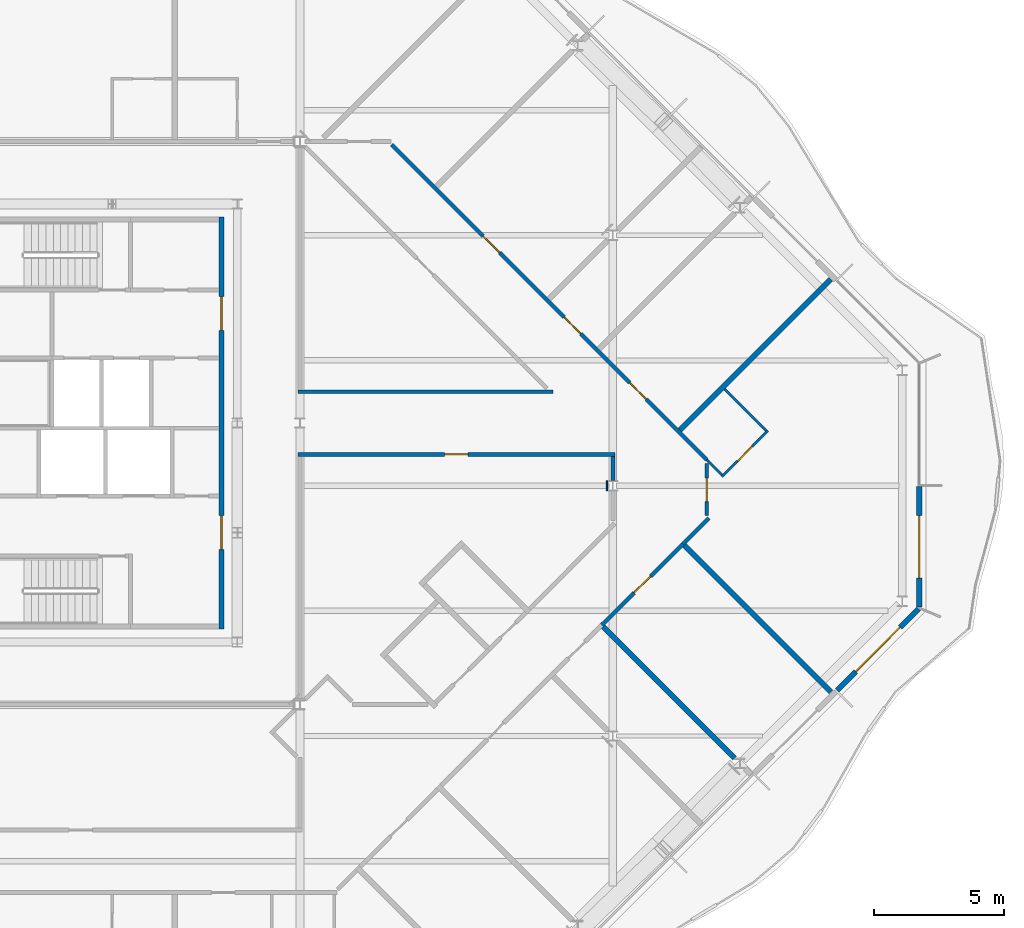
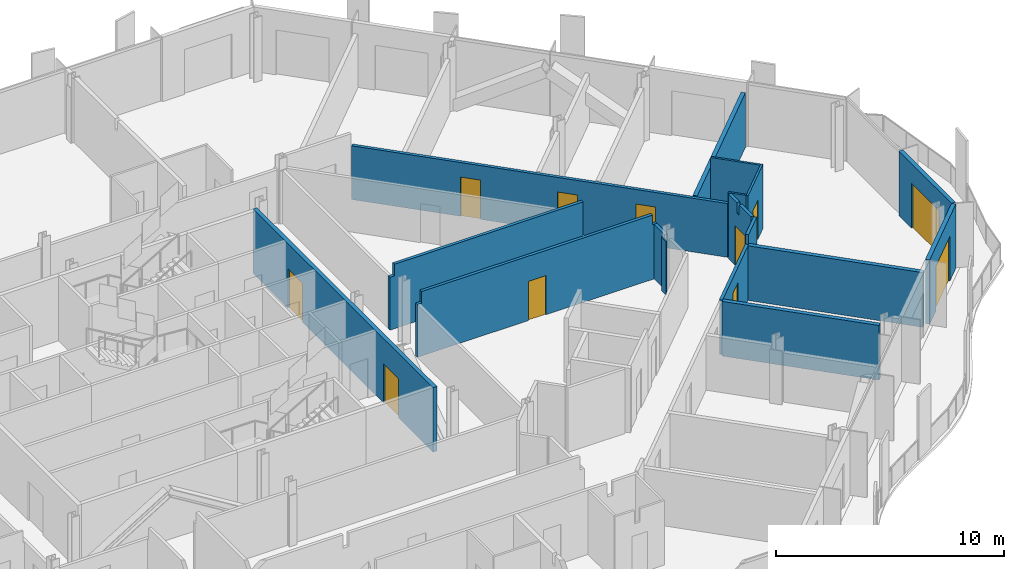
# One storey, part 10 of 17: 17 walls, 11 doors, 11 openings.
"""IFC4 building model written with IfcOpenShell, lengths in metres."""

from ifc_helpers import new_model, si_unit, direction, frame, frame_2d, origin, place, context, subcontext, project, spatial, polyline, rectangle, outline, extrude, material, layer, layer_set, type_object, element, fill, save


model = new_model("IFC4")

# Units and contexts
model_context = context("Model", 3, precision=1e-05, world=origin(), true_north=direction((0.0, 1.0)))
body_context = subcontext(model_context, "Body", "Model", "MODEL_VIEW")
ifc_project = project(units=[si_unit("LENGTHUNIT", "METRE"), si_unit("AREAUNIT", "SQUARE_METRE"), si_unit("VOLUMEUNIT", "CUBIC_METRE"), si_unit("PLANEANGLEUNIT", "RADIAN"), si_unit("MASSUNIT", "GRAM", prefix="KILO")], contexts=[model_context])

# Site, building, storey
site_placement = place(None, origin())
site = spatial("IfcSite", under=ifc_project, at=site_placement, CompositionType="ELEMENT")
building_placement = place(site_placement, origin())
building = spatial("IfcBuilding", under=site, at=building_placement, Name="Cairn Pilgrim Tower", CompositionType="ELEMENT")
storey_placement = place(building_placement, frame((0.0, 0.0, 250.199951171875)))
storey = spatial("IfcBuildingStorey", under=building, at=storey_placement, Name="L64", CompositionType="ELEMENT", Elevation=250.199951171875)

# Wall, opening, door
ifc_material_1 = material(Name="Bronze anodised aluminium insulated sandwich panel with mineral wool fill", Category="aluminium")
ifc_layer_1 = layer(ifc_material_1, 0.199951171875)
ifc_layer_set_1 = layer_set([ifc_layer_1], Name="BRONZE INFILL FRAME WALL 200")
wall_type_1 = type_object("IfcWallType", Name="BRONZE INFILL FRAME WALL 200", PredefinedType="NOTDEFINED", material=ifc_layer_set_1)
wall_1_placement = place(storey_placement, frame((39.795654296875, -7.850830078125, 0.0), z_axis=(0.0, 0.0, 1.0), x_axis=(0.707079168996, 0.707134392299, 0.0)))
wall_1 = element("IfcWall", 1, at=wall_1_placement, inside=storey, type_object=wall_type_1, Name="Bronze infill frame wall IW-SE6", PredefinedType="NOTDEFINED", context=body_context, shape_type="SweptSolid", body=[
    extrude(rectangle(XDim=4.4208984375, YDim=0.199951171875, at=frame_2d((2.21044921875, 0.0))), origin(), (0.0, 0.0, 1.0), 3.449951171875),
])
opening_1_placement = place(wall_1_placement, frame((1.015625, 0.0, 0.0)))
opening_1 = element("IfcOpeningElement", 2, at=opening_1_placement, cuts=wall_1, Name="Opening 6406B2", PredefinedType="OPENING", context=body_context, shape_type="SweptSolid", body=[
    extrude(rectangle(XDim=2.39990234375, YDim=2.39990234375, at=frame_2d((1.199951171875, 1.199951171875))), frame((0.0, 0.10986328125, 0.0), z_axis=(0.0, -1.0, 0.0), x_axis=(1.0, 0.0, 0.0)), (0.0, 0.0, 1.0), 0.219970703125),
])
ifc_material_2 = material(Name="Bronze anodised aluminium frame with tinted low-E glass", Category="aluminium")
door_type_1 = type_object("IfcDoorType", Name="BALCONY SLIDING DOOR 2400x2400", OperationType="DOUBLE_DOOR_SLIDING", PredefinedType="DOOR", material=ifc_material_2)
door_1_placement = place(opening_1_placement, origin())
door_1 = element("IfcDoor", 3, at=door_1_placement, inside=storey, type_object=door_type_1, Name="Balcony sliding door 6406B2", OperationType="SINGLE_SWING_LEFT", OverallHeight=2.39990234375, OverallWidth=2.39990234375, PredefinedType="DOOR", context=body_context, shape_type="SweptSolid", body=[
    extrude(rectangle(XDim=2.39990234375, YDim=2.39990234375, at=frame_2d((1.199951171875, 1.199951171875))), frame((0.0, 0.02490234375, 0.0), z_axis=(0.0, -1.0, 0.0), x_axis=(1.0, 0.0, 0.0)), (0.0, 0.0, 1.0), 0.050048828125),
])
fill(opening_1, door_1)

wall_2_placement = place(storey_placement, frame((42.949951171875, -4.656494140625, 0.0), z_axis=(0.0, 0.0, 1.0), x_axis=(0.0, 1.0, 0.0)))
wall_2 = element("IfcWall", 4, at=wall_2_placement, inside=storey, type_object=wall_type_1, Name="Bronze infill frame wall IW-E1", PredefinedType="NOTDEFINED", context=body_context, shape_type="SweptSolid", body=[
    extrude(rectangle(XDim=4.62646484375, YDim=0.199951171875, at=frame_2d((2.313232421875, 0.0))), origin(), (0.0, 0.0, 1.0), 3.449951171875),
])
opening_2_placement = place(wall_2_placement, frame((1.1083984375, 0.0, 0.0)))
opening_2 = element("IfcOpeningElement", 5, at=opening_2_placement, cuts=wall_2, Name="Opening 6406B", PredefinedType="OPENING", context=body_context, shape_type="SweptSolid", body=[
    extrude(rectangle(XDim=2.39990234375, YDim=2.39990234375, at=frame_2d((1.199951171875, 1.199951171875))), frame((0.0, 0.10986328125, 0.0), z_axis=(0.0, -1.0, 0.0), x_axis=(1.0, 0.0, 0.0)), (0.0, 0.0, 1.0), 0.219970703125),
])
door_2_placement = place(opening_2_placement, origin())
door_2 = element("IfcDoor", 6, at=door_2_placement, inside=storey, type_object=door_type_1, Name="Balcony sliding door 6406B", OperationType="SINGLE_SWING_LEFT", OverallHeight=2.39990234375, OverallWidth=2.39990234375, PredefinedType="DOOR", context=body_context, shape_type="SweptSolid", body=[
    extrude(rectangle(XDim=2.39990234375, YDim=2.39990234375, at=frame_2d((1.199951171875, 1.199951171875))), frame((0.0, 0.02490234375, 0.0), z_axis=(0.0, -1.0, 0.0), x_axis=(1.0, 0.0, 0.0)), (0.0, 0.0, 1.0), 0.050048828125),
])
fill(opening_2, door_2)

# Wall, openings, doors
ifc_material_3 = material(Name="Concrete C32/40", Category="concrete")
ifc_layer_2 = layer(ifc_material_3, 0.199951171875)
ifc_layer_set_2 = layer_set([ifc_layer_2], Name="CORE OUTER WALL 200 EI 120")
wall_type_2 = type_object("IfcWallType", Name="CORE OUTER WALL 200 EI 120", PredefinedType="SOLIDWALL", material=ifc_layer_set_2)
wall_3_placement = place(storey_placement, frame((16.199951171875, -5.5, 0.0), z_axis=(0.0, 0.0, 1.0), x_axis=(0.0, 1.0, 0.0)))
wall_3 = element("IfcWall", 7, at=wall_3_placement, inside=storey, type_object=wall_type_2, Name="CW:L64:V29", PredefinedType="SOLIDWALL", context=body_context, shape_type="SweptSolid", body=[
    extrude(rectangle(XDim=15.800048828125, YDim=0.199951171875, at=frame_2d((7.89990234375, 0.0))), origin(), (0.0, 0.0, 1.0), 3.449951171875),
])
opening_3_placement = place(wall_3_placement, frame((3.050048828125, 0.0, 0.0)))
opening_3 = element("IfcOpeningElement", 8, at=opening_3_placement, cuts=wall_3, Name="Opening CD-E1", PredefinedType="OPENING", context=body_context, shape_type="SweptSolid", body=[
    extrude(rectangle(XDim=1.300048828125, YDim=2.10009765625, at=frame_2d((0.64990234375, 1.050048828125))), frame((0.0, 0.10986328125, 0.0), z_axis=(0.0, -1.0, 0.0), x_axis=(1.0, 0.0, 0.0)), (0.0, 0.0, 1.0), 0.219970703125),
])
opening_4_placement = place(wall_3_placement, frame((11.449951171875, 0.0, 0.0)))
opening_4 = element("IfcOpeningElement", 9, at=opening_4_placement, cuts=wall_3, Name="Opening CD-E2", PredefinedType="OPENING", context=body_context, shape_type="SweptSolid", body=[
    extrude(rectangle(XDim=1.300048828125, YDim=2.10009765625, at=frame_2d((0.64990234375, 1.050048828125))), frame((0.0, 0.10986328125, 0.0), z_axis=(0.0, -1.0, 0.0), x_axis=(1.0, 0.0, 0.0)), (0.0, 0.0, 1.0), 0.219970703125),
])
ifc_material_4 = material(Name="Painted steel", Category="steel")
door_type_2 = type_object("IfcDoorType", Name="CORE LOBBY DOOR 1300x2100", OperationType="DOUBLE_DOOR_SINGLE_SWING", PredefinedType="DOOR", material=ifc_material_4)
door_3_placement = place(opening_3_placement, origin())
door_3 = element("IfcDoor", 10, at=door_3_placement, inside=storey, type_object=door_type_2, Name="CD-E1", OperationType="DOUBLE_DOOR_SINGLE_SWING", OverallHeight=2.10009765625, OverallWidth=1.300048828125, PredefinedType="DOOR", context=body_context, shape_type="SweptSolid", body=[
    extrude(rectangle(XDim=1.300048828125, YDim=2.10009765625, at=frame_2d((0.64990234375, 1.050048828125))), frame((0.0, 0.02490234375, 0.0), z_axis=(0.0, -1.0, 0.0), x_axis=(1.0, 0.0, 0.0)), (0.0, 0.0, 1.0), 0.050048828125),
])
fill(opening_3, door_3)
door_4_placement = place(opening_4_placement, origin())
door_4 = element("IfcDoor", 11, at=door_4_placement, inside=storey, type_object=door_type_2, Name="CD-E2", OperationType="DOUBLE_DOOR_SINGLE_SWING", OverallHeight=2.10009765625, OverallWidth=1.300048828125, PredefinedType="DOOR", context=body_context, shape_type="SweptSolid", body=[
    extrude(rectangle(XDim=1.300048828125, YDim=2.10009765625, at=frame_2d((0.64990234375, 1.050048828125))), frame((0.0, 0.02490234375, 0.0), z_axis=(0.0, -1.0, 0.0), x_axis=(1.0, 0.0, 0.0)), (0.0, 0.0, 1.0), 0.050048828125),
])
fill(opening_4, door_4)

# Wall, opening, door
ifc_material_5 = material(Name="Gypsum partition")
ifc_layer_3 = layer(ifc_material_5, 0.10009765625)
ifc_layer_set_3 = layer_set([ifc_layer_3], Name="PARTITION 100 DRYWALL")
wall_type_3 = type_object("IfcWallType", Name="PARTITION 100 DRYWALL", PredefinedType="PARTITIONING", material=ifc_layer_set_3)
wall_4_placement = place(storey_placement, frame((35.382568359375, 0.340576171875, 0.0), z_axis=(0.0, 0.0, 1.0), x_axis=(0.707106781187, 0.707106781187, 0.0)))
wall_4 = element("IfcWall", 12, at=wall_4_placement, inside=storey, type_object=wall_type_3, Name="PARTITION W054", PredefinedType="PARTITIONING", context=body_context, shape_type="SweptSolid", body=[
    extrude(rectangle(XDim=2.5, YDim=0.10009765625, at=frame_2d((1.25, 0.0))), origin(), (0.0, 0.0, 1.0), 3.449951171875),
])
opening_5_placement = place(wall_4_placement, frame((0.85009765625, 0.0, 0.0)))
opening_5 = element("IfcOpeningElement", 13, at=opening_5_placement, cuts=wall_4, Name="Opening 6406A", PredefinedType="OPENING", context=body_context, shape_type="SweptSolid", body=[
    extrude(rectangle(XDim=0.800048828125, YDim=2.10009765625, at=frame_2d((0.39990234375, 1.050048828125))), frame((0.0, 0.06005859375, 0.0), z_axis=(0.0, -1.0, 0.0), x_axis=(1.0, 0.0, 0.0)), (0.0, 0.0, 1.0), 0.1201171875),
])
ifc_material_6 = material(Name="Timber door leaf", Category="wood")
door_type_3 = type_object("IfcDoorType", Name="WC DOOR 800x2100", OperationType="NOTDEFINED", PredefinedType="DOOR", material=ifc_material_6)
door_5_placement = place(opening_5_placement, frame((0.800048828125, 0.0, 0.0), z_axis=(0.0, 0.0, 1.0), x_axis=(-1.0, 0.0, 0.0)))
door_5 = element("IfcDoor", 14, at=door_5_placement, inside=storey, type_object=door_type_3, Name="DOOR 6406A", OperationType="SINGLE_SWING_RIGHT", OverallHeight=2.10009765625, OverallWidth=0.800048828125, PredefinedType="DOOR", context=body_context, shape_type="SweptSolid", body=[
    extrude(rectangle(XDim=0.800048828125, YDim=2.10009765625, at=frame_2d((0.39990234375, 1.050048828125))), frame((0.0, 0.02490234375, 0.0), z_axis=(0.0, -1.0, 0.0), x_axis=(1.0, 0.0, 0.0)), (0.0, 0.0, 1.0), 0.050048828125),
])
fill(opening_5, door_5)

# Walls
wall_5_placement = place(storey_placement, frame((35.382568359375, 0.411376953125, 0.0), z_axis=(0.0, 0.0, 1.0), x_axis=(-0.707106781187, 0.707106781187, 0.0)))
element("IfcWall", 15, at=wall_5_placement, inside=storey, type_object=wall_type_3, Name="PARTITION W055", PredefinedType="PARTITIONING", context=body_context, shape_type="SweptSolid", body=[
    extrude(rectangle(XDim=0.82373046875, YDim=0.10009765625, at=frame_2d((0.411865234375, 0.0))), origin(), (0.0, 0.0, 1.0), 3.449951171875),
])
wall_6_placement = place(storey_placement, frame((37.07958984375, 2.1083984375, 0.0), z_axis=(0.0, 0.0, 1.0), x_axis=(-0.707106781187, 0.707106781187, 0.0)))
element("IfcWall", 16, at=wall_6_placement, inside=storey, type_object=wall_type_3, Name="PARTITION W059", PredefinedType="PARTITIONING", context=body_context, shape_type="SweptSolid", body=[
    extrude(rectangle(XDim=2.249755859375, YDim=0.10009765625, at=frame_2d((1.125, 0.0))), origin(), (0.0, 0.0, 1.0), 3.449951171875),
])

# Wall, opening, door
ifc_layer_4 = layer(ifc_material_5, 0.14990234375)
ifc_layer_set_4 = layer_set([ifc_layer_4], Name="PARTITION 150 DRYWALL EI 60")
wall_type_4 = type_object("IfcWallType", Name="PARTITION 150 DRYWALL EI 60", PredefinedType="PARTITIONING", material=ifc_layer_set_4)
wall_7_placement = place(storey_placement, frame((30.77197265625, -5.347900390625, 0.0), z_axis=(0.0, 0.0, 1.0), x_axis=(0.70724543229, 0.706968102891, 0.0)))
wall_7 = element("IfcWall", 17, at=wall_7_placement, inside=storey, type_object=wall_type_4, Name="PARTITION W045", PredefinedType="PARTITIONING", context=body_context, shape_type="SweptSolid", body=[
    extrude(rectangle(XDim=4.401611328125, YDim=0.14990234375, at=frame_2d((2.20068359375, 0.0))), origin(), (0.0, 0.0, 1.0), 2.929931640625),
])
opening_6_placement = place(wall_7_placement, frame((1.750732421875, 0.0, 0.0)))
opening_6 = element("IfcOpeningElement", 18, at=opening_6_placement, cuts=wall_7, Name="Opening 6405", PredefinedType="OPENING", context=body_context, shape_type="SweptSolid", body=[
    extrude(rectangle(XDim=0.89990234375, YDim=2.10009765625, at=frame_2d((0.449951171875, 1.050048828125))), frame((0.0, 0.0849609375, 0.0), z_axis=(0.0, -1.0, 0.0), x_axis=(1.0, 0.0, 0.0)), (0.0, 0.0, 1.0), 0.169921875),
])
door_type_4 = type_object("IfcDoorType", Name="SERVICE DOOR 900x2100 FD30S", OperationType="NOTDEFINED", PredefinedType="DOOR", material=ifc_material_6)
door_6_placement = place(opening_6_placement, frame((0.89990234375, 0.0, 0.0), z_axis=(0.0, 0.0, 1.0), x_axis=(-1.0, 0.0, 0.0)))
door_6 = element("IfcDoor", 19, at=door_6_placement, inside=storey, type_object=door_type_4, Name="DOOR 6405", OperationType="SINGLE_SWING_RIGHT", OverallHeight=2.10009765625, OverallWidth=0.89990234375, PredefinedType="DOOR", context=body_context, shape_type="SweptSolid", body=[
    extrude(rectangle(XDim=0.89990234375, YDim=2.10009765625, at=frame_2d((0.449951171875, 1.050048828125))), frame((0.0, 0.02490234375, 0.0), z_axis=(0.0, -1.0, 0.0), x_axis=(1.0, 0.0, 0.0)), (0.0, 0.0, 1.0), 0.050048828125),
])
fill(opening_6, door_6)

# Wall
wall_8_placement = place(storey_placement, frame((33.885009765625, -2.236083984375, 0.0), z_axis=(0.0, 0.0, 1.0), x_axis=(0.707106781187, 0.707106781187, 0.0)))
element("IfcWall", 20, at=wall_8_placement, inside=storey, type_object=wall_type_4, Name="PARTITION W050", PredefinedType="PARTITIONING", context=body_context, shape_type="SweptSolid", body=[
    extrude(rectangle(XDim=1.400146484375, YDim=0.14990234375, at=frame_2d((0.7001953125, 0.0))), origin(), (0.0, 0.0, 1.0), 3.449951171875),
])

# Wall, opening, door
wall_9_placement = place(storey_placement, frame((34.800048828125, -1.139892578125, 0.0), z_axis=(0.0, 0.0, 1.0), x_axis=(0.0, 1.0, 0.0)))
wall_9 = element("IfcWall", 21, at=wall_9_placement, inside=storey, type_object=wall_type_4, Name="PARTITION W052", PredefinedType="PARTITIONING", context=body_context, shape_type="SweptSolid", body=[
    extrude(outline(polyline([(0.0, 0.0), (1.98828125, 0.0), (1.98828125, 3.449951171875), (1.244873046875, 3.449951171875), (1.242919921875, 2.880126953125), (1.034912109375, 2.880126953125), (1.032958984375, 3.449951171875), (0.0, 3.449951171875), (0.0, 0.0)])), frame((0.0, 0.074951171875, 0.0), z_axis=(0.0, -1.0, 0.0), x_axis=(1.0, 0.0, 0.0)), (0.0, 0.0, 1.0), 0.14990234375),
])
opening_7_placement = place(wall_9_placement, frame((0.52685546875, 0.0, 0.0)))
opening_7 = element("IfcOpeningElement", 22, at=opening_7_placement, cuts=wall_9, Name="Opening 6406", PredefinedType="OPENING", context=body_context, shape_type="SweptSolid", body=[
    extrude(rectangle(XDim=0.89990234375, YDim=2.10009765625, at=frame_2d((0.449951171875, 1.050048828125))), frame((0.0, 0.0849609375, 0.0), z_axis=(0.0, -1.0, 0.0), x_axis=(1.0, 0.0, 0.0)), (0.0, 0.0, 1.0), 0.169921875),
])
door_type_5 = type_object("IfcDoorType", Name="ROOM DOOR 900x2100 FD30S", OperationType="NOTDEFINED", PredefinedType="DOOR", material=ifc_material_6)
door_7_placement = place(opening_7_placement, frame((0.89990234375, 0.0, 0.0), z_axis=(0.0, 0.0, 1.0), x_axis=(-1.0, 0.0, 0.0)))
door_7 = element("IfcDoor", 23, at=door_7_placement, inside=storey, type_object=door_type_5, Name="DOOR 6406", OperationType="SINGLE_SWING_RIGHT", OverallHeight=2.10009765625, OverallWidth=0.89990234375, PredefinedType="DOOR", context=body_context, shape_type="SweptSolid", body=[
    extrude(rectangle(XDim=0.89990234375, YDim=2.10009765625, at=frame_2d((0.449951171875, 1.050048828125))), frame((0.0, 0.02490234375, 0.0), z_axis=(0.0, -1.0, 0.0), x_axis=(1.0, 0.0, 0.0)), (0.0, 0.0, 1.0), 0.050048828125),
])
fill(opening_7, door_7)

# Wall
wall_10_placement = place(storey_placement, frame((31.199951171875, 0.196533203125, 0.0), z_axis=(0.0, 0.0, 1.0), x_axis=(0.0, 1.0, 0.0)))
element("IfcWall", 24, at=wall_10_placement, inside=storey, type_object=wall_type_4, Name="PARTITION W053", PredefinedType="PARTITIONING", context=body_context, shape_type="SweptSolid", body=[
    extrude(rectangle(XDim=0.928466796875, YDim=0.14990234375, at=frame_2d((0.46435546875, 0.0))), origin(), (0.0, 0.0, 1.0), 2.929931640625),
])

# Wall, openings, doors
wall_11_placement = place(storey_placement, frame((34.800048828125, 0.993896484375, 0.0), z_axis=(0.0, 0.0, 1.0), x_axis=(-0.707099634543, 0.707113927758, 0.0)))
wall_11 = element("IfcWall", 25, at=wall_11_placement, inside=storey, type_object=wall_type_4, Name="PARTITION W056", PredefinedType="PARTITIONING", context=body_context, shape_type="SweptSolid", body=[
    extrude(rectangle(XDim=17.080810546875, YDim=0.14990234375, at=frame_2d((8.54052734375, 0.0))), origin(), (0.0, 0.0, 1.0), 2.880126953125),
])
opening_8_placement = place(wall_11_placement, frame((3.27587890625, 0.0, 0.0)))
opening_8 = element("IfcOpeningElement", 26, at=opening_8_placement, cuts=wall_11, Name="Opening 6407", PredefinedType="OPENING", context=body_context, shape_type="SweptSolid", body=[
    extrude(rectangle(XDim=0.89990234375, YDim=2.10009765625, at=frame_2d((0.449951171875, 1.050048828125))), frame((0.0, 0.0849609375, 0.0), z_axis=(0.0, -1.0, 0.0), x_axis=(1.0, 0.0, 0.0)), (0.0, 0.0, 1.0), 0.169921875),
])
opening_9_placement = place(wall_11_placement, frame((6.828857421875, 0.0, 0.0)))
opening_9 = element("IfcOpeningElement", 27, at=opening_9_placement, cuts=wall_11, Name="Opening 6408", PredefinedType="OPENING", context=body_context, shape_type="SweptSolid", body=[
    extrude(rectangle(XDim=0.89990234375, YDim=2.10009765625, at=frame_2d((0.449951171875, 1.050048828125))), frame((0.0, 0.0849609375, 0.0), z_axis=(0.0, -1.0, 0.0), x_axis=(1.0, 0.0, 0.0)), (0.0, 0.0, 1.0), 0.169921875),
])
opening_10_placement = place(wall_11_placement, frame((11.22998046875, 0.0, 0.0)))
opening_10 = element("IfcOpeningElement", 28, at=opening_10_placement, cuts=wall_11, Name="Opening 6409", PredefinedType="OPENING", context=body_context, shape_type="SweptSolid", body=[
    extrude(rectangle(XDim=0.89990234375, YDim=2.10009765625, at=frame_2d((0.449951171875, 1.050048828125))), frame((0.0, 0.0849609375, 0.0), z_axis=(0.0, -1.0, 0.0), x_axis=(1.0, 0.0, 0.0)), (0.0, 0.0, 1.0), 0.169921875),
])
door_8_placement = place(opening_8_placement, frame((0.89990234375, 0.0, 0.0), z_axis=(0.0, 0.0, 1.0), x_axis=(-1.0, 0.0, 0.0)))
door_8 = element("IfcDoor", 29, at=door_8_placement, inside=storey, type_object=door_type_5, Name="DOOR 6407", OperationType="SINGLE_SWING_RIGHT", OverallHeight=2.10009765625, OverallWidth=0.89990234375, PredefinedType="DOOR", context=body_context, shape_type="SweptSolid", body=[
    extrude(rectangle(XDim=0.89990234375, YDim=2.10009765625, at=frame_2d((0.449951171875, 1.050048828125))), frame((0.0, 0.02490234375, 0.0), z_axis=(0.0, -1.0, 0.0), x_axis=(1.0, 0.0, 0.0)), (0.0, 0.0, 1.0), 0.050048828125),
])
fill(opening_8, door_8)
door_9_placement = place(opening_9_placement, frame((0.89990234375, 0.0, 0.0), z_axis=(0.0, 0.0, 1.0), x_axis=(-1.0, 0.0, 0.0)))
door_9 = element("IfcDoor", 30, at=door_9_placement, inside=storey, type_object=door_type_4, Name="DOOR 6408", OperationType="SINGLE_SWING_RIGHT", OverallHeight=2.10009765625, OverallWidth=0.89990234375, PredefinedType="DOOR", context=body_context, shape_type="SweptSolid", body=[
    extrude(rectangle(XDim=0.89990234375, YDim=2.10009765625, at=frame_2d((0.449951171875, 1.050048828125))), frame((0.0, 0.02490234375, 0.0), z_axis=(0.0, -1.0, 0.0), x_axis=(1.0, 0.0, 0.0)), (0.0, 0.0, 1.0), 0.050048828125),
])
fill(opening_9, door_9)
door_10_placement = place(opening_10_placement, frame((0.89990234375, 0.0, 0.0), z_axis=(0.0, 0.0, 1.0), x_axis=(-1.0, 0.0, 0.0)))
door_10 = element("IfcDoor", 31, at=door_10_placement, inside=storey, type_object=door_type_4, Name="DOOR 6409", OperationType="SINGLE_SWING_RIGHT", OverallHeight=2.10009765625, OverallWidth=0.89990234375, PredefinedType="DOOR", context=body_context, shape_type="SweptSolid", body=[
    extrude(rectangle(XDim=0.89990234375, YDim=2.10009765625, at=frame_2d((0.449951171875, 1.050048828125))), frame((0.0, 0.02490234375, 0.0), z_axis=(0.0, -1.0, 0.0), x_axis=(1.0, 0.0, 0.0)), (0.0, 0.0, 1.0), 0.050048828125),
])
fill(opening_10, door_10)

# Wall, opening, door
wall_12_placement = place(storey_placement, frame((19.125, 1.199951171875, 0.0), z_axis=(0.0, 0.0, 1.0), x_axis=(1.0, 0.0, 0.0)))
wall_12 = element("IfcWall", 32, at=wall_12_placement, inside=storey, type_object=wall_type_4, Name="PARTITION W057", PredefinedType="PARTITIONING", context=body_context, shape_type="SweptSolid", body=[
    extrude(outline(polyline([(0.0, 0.0), (12.14990234375, 0.0), (12.14990234375, 2.929931640625), (11.925048828125, 2.929931640625), (11.923095703125, 3.449951171875), (0.22509765625, 3.449951171875), (0.222900390625, 2.830078125), (0.0, 2.830078125), (0.0, 0.0)])), frame((0.0, 0.074951171875, 0.0), z_axis=(0.0, -1.0, 0.0), x_axis=(1.0, 0.0, 0.0)), (0.0, 0.0, 1.0), 0.14990234375),
])
opening_11_placement = place(wall_12_placement, frame((5.625, 0.0, 0.0)))
opening_11 = element("IfcOpeningElement", 33, at=opening_11_placement, cuts=wall_12, Name="Opening 6418", PredefinedType="OPENING", context=body_context, shape_type="SweptSolid", body=[
    extrude(rectangle(XDim=0.89990234375, YDim=2.10009765625, at=frame_2d((0.449951171875, 1.050048828125))), frame((0.0, 0.0849609375, 0.0), z_axis=(0.0, -1.0, 0.0), x_axis=(1.0, 0.0, 0.0)), (0.0, 0.0, 1.0), 0.169921875),
])
door_11_placement = place(opening_11_placement, frame((0.89990234375, 0.0, 0.0), z_axis=(0.0, 0.0, 1.0), x_axis=(-1.0, 0.0, 0.0)))
door_11 = element("IfcDoor", 34, at=door_11_placement, inside=storey, type_object=door_type_4, Name="DOOR 6418", OperationType="SINGLE_SWING_LEFT", OverallHeight=2.10009765625, OverallWidth=0.89990234375, PredefinedType="DOOR", context=body_context, shape_type="SweptSolid", body=[
    extrude(rectangle(XDim=0.89990234375, YDim=2.10009765625, at=frame_2d((0.449951171875, 1.050048828125))), frame((0.0, 0.02490234375, 0.0), z_axis=(0.0, -1.0, 0.0), x_axis=(1.0, 0.0, 0.0)), (0.0, 0.0, 1.0), 0.050048828125),
])
fill(opening_11, door_11)

# Walls
wall_13_placement = place(storey_placement, frame((19.125, 3.60009765625, 0.0), z_axis=(0.0, 0.0, 1.0), x_axis=(1.0, 0.0, 0.0)))
element("IfcWall", 35, at=wall_13_placement, inside=storey, type_object=wall_type_4, Name="PARTITION W062", PredefinedType="PARTITIONING", context=body_context, shape_type="SweptSolid", body=[
    extrude(outline(polyline([(0.0, 0.0), (9.781005859375, 0.0), (9.781005859375, 3.449951171875), (0.22509765625, 3.449951171875), (0.222900390625, 2.830078125), (0.0, 2.830078125), (0.0, 0.0)])), frame((0.0, 0.074951171875, 0.0), z_axis=(0.0, -1.0, 0.0), x_axis=(1.0, 0.0, 0.0)), (0.0, 0.0, 1.0), 0.14990234375),
])
ifc_layer_5 = layer(ifc_material_5, 0.050048828125)
ifc_layer_set_5 = layer_set([ifc_layer_5], Name="PARTITION 50 DRYWALL EI 60")
wall_type_5 = type_object("IfcWallType", Name="PARTITION 50 DRYWALL EI 60", PredefinedType="PARTITIONING", material=ifc_layer_set_5)
wall_14_placement = place(storey_placement, frame((30.9755859375, -0.196533203125, 0.0), z_axis=(0.0, 0.0, 1.0), x_axis=(0.0, 1.0, 0.0)))
element("IfcWall", 36, at=wall_14_placement, inside=storey, type_object=wall_type_5, Name="COLUMN CASING WC13", PredefinedType="PARTITIONING", context=body_context, shape_type="SweptSolid", body=[
    extrude(rectangle(XDim=0.39306640625, YDim=0.050048828125, at=frame_2d((0.196533203125, 0.0))), origin(), (0.0, 0.0, 1.0), 2.880126953125),
])
ifc_layer_6 = layer(ifc_material_5, 0.199951171875)
ifc_layer_set_6 = layer_set([ifc_layer_6], Name="SHAFT WALL 200 GYPSUM EI 60")
wall_type_6 = type_object("IfcWallType", Name="SHAFT WALL 200 GYPSUM EI 60", PredefinedType="PARTITIONING", material=ifc_layer_set_6)
wall_15_placement = place(storey_placement, frame((35.872802734375, -10.448974609375, 0.0), z_axis=(0.0, 0.0, 1.0), x_axis=(-0.707089680867, 0.707123881093, 0.0)))
element("IfcWall", 37, at=wall_15_placement, inside=storey, type_object=wall_type_6, Name="PARTITION W026", PredefinedType="PARTITIONING", context=body_context, shape_type="SweptSolid", body=[
    extrude(rectangle(XDim=7.138671875, YDim=0.199951171875, at=frame_2d((3.5693359375, 0.0))), origin(), (0.0, 0.0, 1.0), 2.929931640625),
])
wall_16_placement = place(storey_placement, frame((39.555419921875, -7.9072265625, 0.0), z_axis=(0.0, 0.0, 1.0), x_axis=(-0.707060685068, 0.7071528743, 0.0)))
element("IfcWall", 38, at=wall_16_placement, inside=storey, type_object=wall_type_6, Name="PARTITION W039", PredefinedType="PARTITIONING", context=body_context, shape_type="SweptSolid", body=[
    extrude(rectangle(XDim=7.94482421875, YDim=0.199951171875, at=frame_2d((3.972412109375, 0.0))), origin(), (0.0, 0.0, 1.0), 2.929931640625),
])
wall_17_placement = place(storey_placement, frame((33.77392578125, 2.1259765625, 0.0), z_axis=(0.0, 0.0, 1.0), x_axis=(0.707121711178, 0.70709185088, 0.0)))
element("IfcWall", 39, at=wall_17_placement, inside=storey, type_object=wall_type_6, Name="PARTITION W058", PredefinedType="PARTITIONING", context=body_context, shape_type="SweptSolid", body=[
    extrude(rectangle(XDim=8.176025390625, YDim=0.199951171875, at=frame_2d((4.087890625, 0.0))), origin(), (0.0, 0.0, 1.0), 2.929931640625),
])

save(model, "model.ifc")
